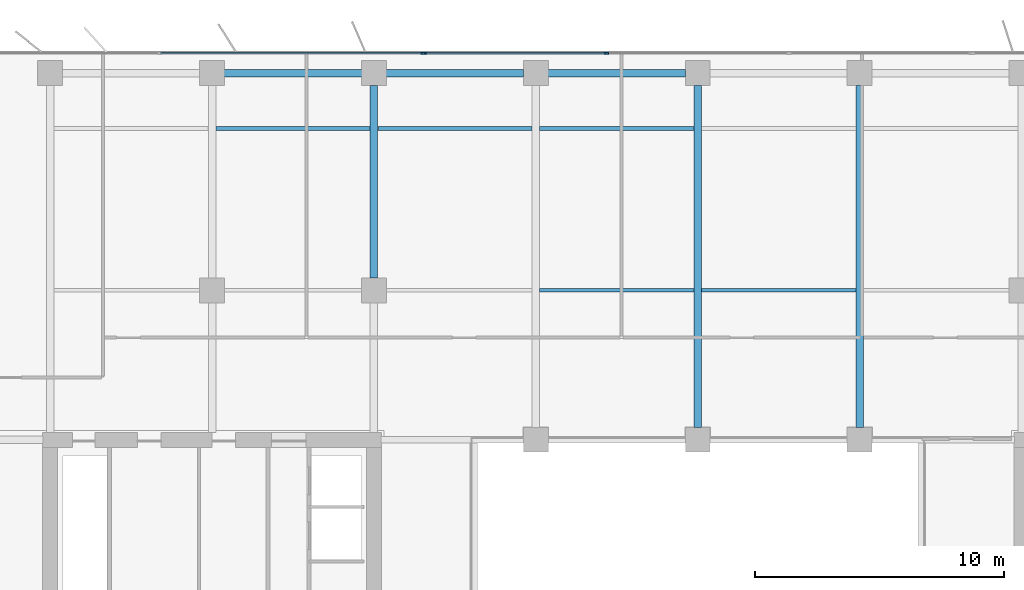
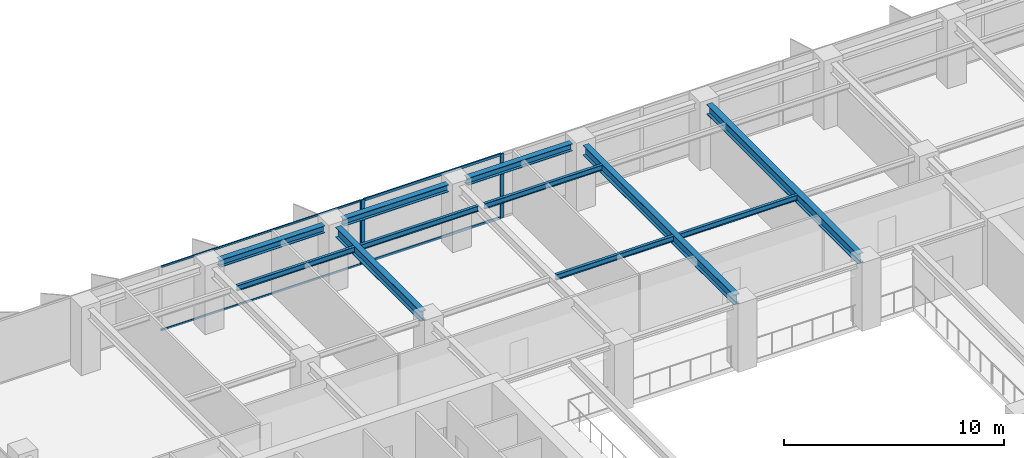
# One storey, part 9 of 22: 11 beams, 7 members, 2 elements without a shape of their own.
"""IFC4 building model written with IfcOpenShell, lengths in metres."""

from ifc_helpers import new_model, si_unit, direction, frame, origin, origin_2d, place, context, subcontext, project, spatial, rectangle, i_section, extrude, material, layer, layer_set, material_profile, profile_set, type_object, element, aggregate, save


model = new_model("IFC4")

# Units and contexts
model_context = context("Model", 3, precision=1e-05, world=origin(), true_north=direction((0.0, 1.0)))
body_context = subcontext(model_context, "Body", "Model", "MODEL_VIEW")
ifc_project = project(units=[si_unit("LENGTHUNIT", "METRE"), si_unit("AREAUNIT", "SQUARE_METRE"), si_unit("VOLUMEUNIT", "CUBIC_METRE"), si_unit("PLANEANGLEUNIT", "RADIAN"), si_unit("MASSUNIT", "GRAM", prefix="KILO")], contexts=[model_context])

# Site, building, storey
site_placement = place(None, origin())
site = spatial("IfcSite", under=ifc_project, at=site_placement, CompositionType="ELEMENT")
building_placement = place(site_placement, origin())
building = spatial("IfcBuilding", under=site, at=building_placement, Name="Putna Gate Headquarters", CompositionType="ELEMENT")
storey_placement = place(building_placement, frame((0.0, 0.0, 155.60009765625)))
storey = spatial("IfcBuildingStorey", under=building, at=storey_placement, Name="L38", CompositionType="ELEMENT", Elevation=155.60009765625)

# Beams
ifc_material_1 = material(Name="Steel S355J2", Category="steel")
ifc_material_profile_1 = material_profile(ifc_material_1, i_section(OverallWidth=0.300048828125, OverallDepth=0.550048828125, WebThickness=0.014892578125, FlangeThickness=0.029052734375, at=origin_2d()), Name="Steel S355J2")
ifc_profile_set_1 = profile_set([ifc_material_profile_1], Name="Steel S355J2")
beam_type_1 = type_object("IfcBeamType", Name="BM-GIRD-Z3-HEB550", PredefinedType="USERDEFINED", material=ifc_profile_set_1)
beam_placement = place(storey_placement, frame((26.0, 39.488037109375, 3.296875), z_axis=(0.0, 1.0, 0.0), x_axis=(-1.0, 0.0, 0.0)))
element("IfcBeam", 1, at=beam_placement, inside=storey, type_object=beam_type_1, Name="L38 North Primary Girder X26-2", ObjectType="GIRDER", PredefinedType="USERDEFINED", context=body_context, shape_type="SweptSolid", body=[
    extrude(i_section(OverallWidth=0.300048828125, OverallDepth=0.550048828125, WebThickness=0.014892578125, FlangeThickness=0.029052734375, at=origin_2d()), origin(), (0.0, 0.0, 1.0), 7.743896484375),
])
for number, where, z_axis, x_axis, name in (
    (2, (39.0, 33.488037109375, 3.296875), (0.0, 1.0, 0.0), (-1.0, 0.0, 0.0), "L38 North Primary Girder X39"),
    (3, (45.5, 33.488037109375, 3.296875), (0.0, 1.0, 0.0), (-1.0, 0.0, 0.0), "L38 North Primary Girder X45"),
):
    element("IfcBeam", number, at=place(storey_placement, frame(where, z_axis=z_axis, x_axis=x_axis)), inside=storey, type_object=beam_type_1, Name=name, ObjectType="GIRDER", PredefinedType="USERDEFINED", context=body_context, shape_type="SweptSolid", body=[
        extrude(i_section(OverallWidth=0.300048828125, OverallDepth=0.550048828125, WebThickness=0.014892578125, FlangeThickness=0.029052734375, at=origin_2d()), origin(), (0.0, 0.0, 1.0), 13.743896484375),
    ])
ifc_material_profile_2 = material_profile(ifc_material_1, i_section(OverallWidth=0.14990234375, OverallDepth=0.300048828125, WebThickness=0.007080078125, FlangeThickness=0.0107421875, at=origin_2d()), Name="Steel S355J2")
ifc_profile_set_2 = profile_set([ifc_material_profile_2], Name="Steel S355J2")
beam_type_2 = type_object("IfcBeamType", Name="BM-SEC-Z3-IPE300", PredefinedType="JOIST", material=ifc_profile_set_2)
for number, where, z_axis, x_axis, name in (
    (4, (19.654052734375, 45.5, 3.421875), (1.0, 0.0, 0.0), (0.0, 1.0, 0.0), "L38 North Secondary Beam 2"),
    (5, (26.154052734375, 45.5, 3.421875), (1.0, 0.0, 0.0), (0.0, 1.0, 0.0), "L38 North Secondary Beam 3"),
    (6, (32.654052734375, 39.0, 3.421875), (1.0, 0.0, 0.0), (0.0, 1.0, 0.0), "L38 North Secondary Beam 4"),
    (7, (32.654052734375, 45.5, 3.421875), (1.0, 0.0, 0.0), (0.0, 1.0, 0.0), "L38 North Secondary Beam 4"),
    (8, (39.154052734375, 39.0, 3.421875), (1.0, 0.0, 0.0), (0.0, 1.0, 0.0), "L38 North Secondary Beam 5"),
):
    element("IfcBeam", number, at=place(storey_placement, frame(where, z_axis=z_axis, x_axis=x_axis)), inside=storey, type_object=beam_type_2, Name=name, PredefinedType="JOIST", context=body_context, shape_type="SweptSolid", body=[
        extrude(i_section(OverallWidth=0.14990234375, OverallDepth=0.300048828125, WebThickness=0.007080078125, FlangeThickness=0.0107421875, at=origin_2d()), origin(), (0.0, 0.0, 1.0), 6.19189453125),
    ])
ifc_material_profile_3 = material_profile(ifc_material_1, i_section(OverallWidth=0.300048828125, OverallDepth=0.39990234375, WebThickness=0.013427734375, FlangeThickness=0.02392578125, at=origin_2d()), Name="Steel S355J2")
ifc_profile_set_3 = profile_set([ifc_material_profile_3], Name="Steel S355J2")
beam_type_3 = type_object("IfcBeamType", Name="BM-SPAN-Z3-HEB400", PredefinedType="SPANDREL", material=ifc_profile_set_3)
for number, where, z_axis, x_axis, name in (
    (9, (19.988037109375, 47.719970703125, 3.371826171875), (1.0, 0.0, 0.0), (0.0, 1.0, 0.0), "L38 N Perimeter Spandrel 2"),
    (10, (26.488037109375, 47.719970703125, 3.371826171875), (1.0, 0.0, 0.0), (0.0, 1.0, 0.0), "L38 N Perimeter Spandrel 3"),
    (11, (32.988037109375, 47.719970703125, 3.371826171875), (1.0, 0.0, 0.0), (0.0, 1.0, 0.0), "L38 N Perimeter Spandrel 4"),
):
    element("IfcBeam", number, at=place(storey_placement, frame(where, z_axis=z_axis, x_axis=x_axis)), inside=storey, type_object=beam_type_3, Name=name, PredefinedType="SPANDREL", context=body_context, shape_type="SweptSolid", body=[
        extrude(i_section(OverallWidth=0.300048828125, OverallDepth=0.39990234375, WebThickness=0.013427734375, FlangeThickness=0.02392578125, at=origin_2d()), origin(), (0.0, 0.0, 1.0), 5.52392578125),
    ])

# Curtain wall, member
ifc_material_2 = material(Name="Anodised bronze aluminium curtain wall", Category="aluminium")
ifc_layer_1 = layer(ifc_material_2, 0.159912109375)
ifc_layer_set_1 = layer_set([ifc_layer_1], Name="Anodised bronze aluminium curtain wall")
curtain_wall_type_1 = type_object("IfcCurtainWallType", Name="CW-SYS-Z3", PredefinedType="USERDEFINED", material=ifc_layer_set_1)
curtain_wall_1_placement = place(storey_placement, origin())
curtain_wall_1 = element("IfcCurtainWall", 12, at=curtain_wall_1_placement, inside=storey, type_object=curtain_wall_type_1, Name="L38 North West Curtain Wall", ObjectType="STICK CURTAIN WALL", PredefinedType="USERDEFINED")
ifc_material_3 = material(Name="Anodised bronze aluminium EN AW-6060", Category="aluminium")
ifc_material_profile_4 = material_profile(ifc_material_3, rectangle(XDim=0.06494140625, YDim=0.159912109375, at=origin_2d()), Name="Anodised bronze aluminium EN AW-6060")
ifc_profile_set_4 = profile_set([ifc_material_profile_4], Name="Anodised bronze aluminium EN AW-6060")
member_type_1 = type_object("IfcMemberType", Name="MULL-CWM-3", PredefinedType="MULLION", material=ifc_profile_set_4)
member_1_placement = place(storey_placement, frame((27.967529296875, 48.52001953125, 0.0), z_axis=(0.0, 0.0, 1.0), x_axis=(0.0, 1.0, 0.0)))
member_1 = element("IfcMember", 13, at=member_1_placement, type_object=member_type_1, Name="CWS-3 mullion 3", PredefinedType="MULLION", context=body_context, shape_type="SweptSolid", body=[
    extrude(rectangle(XDim=0.06494140625, YDim=0.159912109375, at=origin_2d()), origin(), (0.0, 0.0, 1.0), 3.572021484375),
])

# Curtain wall, members
ifc_layer_2 = layer(ifc_material_2, 0.179931640625)
ifc_layer_set_2 = layer_set([ifc_layer_2], Name="Anodised bronze aluminium curtain wall")
curtain_wall_type_2 = type_object("IfcCurtainWallType", Name="CW-SYS-ATR", PredefinedType="USERDEFINED", material=ifc_layer_set_2)
curtain_wall_2_placement = place(storey_placement, origin())
curtain_wall_2 = element("IfcCurtainWall", 14, at=curtain_wall_2_placement, inside=storey, type_object=curtain_wall_type_2, Name="L38 North Atrium Clear Glazing", ObjectType="ATRIUM GLAZING", PredefinedType="USERDEFINED")
ifc_material_profile_5 = material_profile(ifc_material_3, rectangle(XDim=0.070068359375, YDim=0.179931640625, at=origin_2d()), Name="Anodised bronze aluminium EN AW-6060")
ifc_profile_set_5 = profile_set([ifc_material_profile_5], Name="Anodised bronze aluminium EN AW-6060")
member_type_2 = type_object("IfcMemberType", Name="MULL-CWM-AT", PredefinedType="MULLION", material=ifc_profile_set_5)
member_2_placement = place(storey_placement, frame((28.034912109375, 48.52001953125, 0.0), z_axis=(0.0, 0.0, 1.0), x_axis=(0.0, 1.0, 0.0)))
member_2 = element("IfcMember", 15, at=member_2_placement, type_object=member_type_2, Name="CWS-AT mullion 1", PredefinedType="MULLION", context=body_context, shape_type="SweptSolid", body=[
    extrude(rectangle(XDim=0.070068359375, YDim=0.179931640625, at=origin_2d()), origin(), (0.0, 0.0, 1.0), 3.572021484375),
])
member_3_placement = place(storey_placement, frame((35.333251953125, 48.52001953125, 0.0), z_axis=(0.0, 0.0, 1.0), x_axis=(0.0, 1.0, 0.0)))
member_3 = element("IfcMember", 16, at=member_3_placement, type_object=member_type_2, Name="CWS-AT mullion 2", PredefinedType="MULLION", context=body_context, shape_type="SweptSolid", body=[
    extrude(rectangle(XDim=0.070068359375, YDim=0.179931640625, at=origin_2d()), origin(), (0.0, 0.0, 1.0), 3.572021484375),
])

# Member
ifc_material_profile_6 = material_profile(ifc_material_3, rectangle(XDim=0.06005859375, YDim=0.10009765625, at=origin_2d()), Name="Anodised bronze aluminium EN AW-6060")
ifc_profile_set_6 = profile_set([ifc_material_profile_6], Name="Anodised bronze aluminium EN AW-6060")
member_type_3 = type_object("IfcMemberType", Name="TRAN-CWT-3", PredefinedType="USERDEFINED", material=ifc_profile_set_6)
member_4_placement = place(storey_placement, frame((17.4326171875, 48.52001953125, 0.02978515625), z_axis=(1.0, 0.0, 0.0), x_axis=(0.0, 1.0, 0.0)))
member_4 = element("IfcMember", 17, at=member_4_placement, type_object=member_type_3, Name="CWS-3 transom 2.1", ObjectType="TRANSOM", PredefinedType="USERDEFINED", context=body_context, shape_type="SweptSolid", body=[
    extrude(rectangle(XDim=0.06005859375, YDim=0.10009765625, at=origin_2d()), origin(), (0.0, 0.0, 1.0), 10.50244140625),
])

member_5_placement = place(storey_placement, frame((17.4326171875, 48.52001953125, 3.5419921875), z_axis=(1.0, 0.0, 0.0), x_axis=(0.0, 1.0, 0.0)))
member_5 = element("IfcMember", 18, at=member_5_placement, type_object=member_type_3, Name="CWS-3 transom 2.2", ObjectType="TRANSOM", PredefinedType="USERDEFINED", context=body_context, shape_type="SweptSolid", body=[
    extrude(rectangle(XDim=0.06005859375, YDim=0.10009765625, at=origin_2d()), origin(), (0.0, 0.0, 1.0), 10.50244140625),
])

aggregate(curtain_wall_1, [member_1, member_4, member_5])

ifc_material_profile_7 = material_profile(ifc_material_3, rectangle(XDim=0.070068359375, YDim=0.139892578125, at=origin_2d()), Name="Anodised bronze aluminium EN AW-6060")
ifc_profile_set_7 = profile_set([ifc_material_profile_7], Name="Anodised bronze aluminium EN AW-6060")
member_type_4 = type_object("IfcMemberType", Name="TRAN-CWT-AT", PredefinedType="USERDEFINED", material=ifc_profile_set_7)
member_6_placement = place(storey_placement, frame((28.070068359375, 48.52001953125, 0.034912109375), z_axis=(1.0, 0.0, 0.0), x_axis=(0.0, 1.0, 0.0)))
member_6 = element("IfcMember", 19, at=member_6_placement, type_object=member_type_4, Name="CWS-AT transom 1.1", ObjectType="TRANSOM", PredefinedType="USERDEFINED", context=body_context, shape_type="SweptSolid", body=[
    extrude(rectangle(XDim=0.070068359375, YDim=0.139892578125, at=origin_2d()), origin(), (0.0, 0.0, 1.0), 7.228271484375),
])

member_7_placement = place(storey_placement, frame((28.070068359375, 48.52001953125, 3.536865234375), z_axis=(1.0, 0.0, 0.0), x_axis=(0.0, 1.0, 0.0)))
member_7 = element("IfcMember", 20, at=member_7_placement, type_object=member_type_4, Name="CWS-AT transom 1.2", ObjectType="TRANSOM", PredefinedType="USERDEFINED", context=body_context, shape_type="SweptSolid", body=[
    extrude(rectangle(XDim=0.070068359375, YDim=0.139892578125, at=origin_2d()), origin(), (0.0, 0.0, 1.0), 7.228271484375),
])

aggregate(curtain_wall_2, [member_2, member_3, member_6, member_7])

save(model, "model.ifc")
